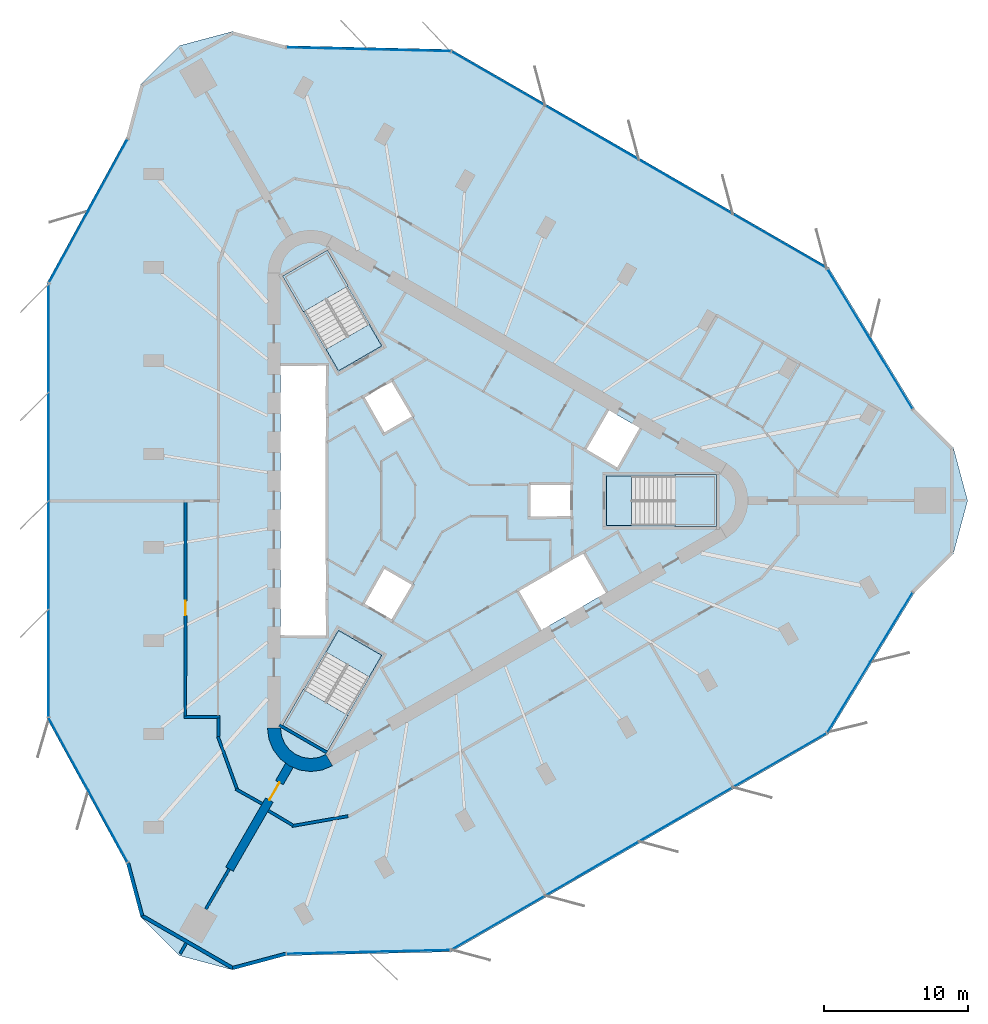
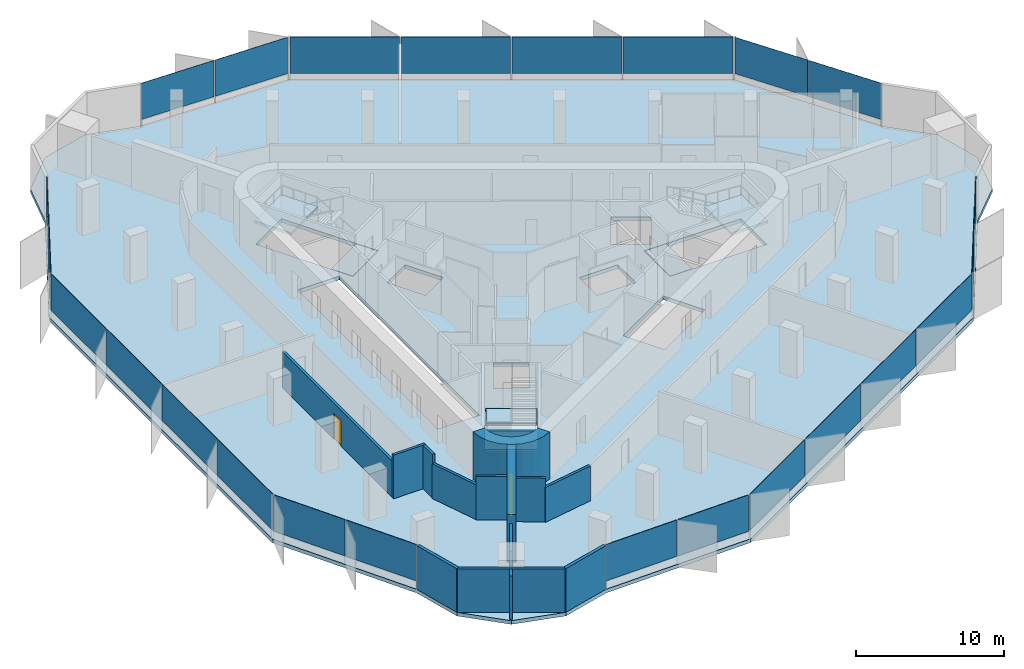
# One storey, part 6 of 12: 24 plates, 15 walls, 7 slabs, 2 doors, 2 openings, 12 elements without a shape of their own.
"""IFC4 building model written with IfcOpenShell, lengths in metres."""

from ifc_helpers import new_model, si_unit, direction, frame, frame_2d, origin, origin_2d, place, context, subcontext, project, spatial, polyline, rectangle, outline, extrude, material, layer, layer_set, type_object, element, fill, aggregate, save


model = new_model("IFC4")

# Units and contexts
model_context = context("Model", 3, precision=1e-05, world=origin(), true_north=direction((0.0, 1.0)))
body_context = subcontext(model_context, "Body", "Model", "MODEL_VIEW")
ifc_project = project(units=[si_unit("LENGTHUNIT", "METRE"), si_unit("AREAUNIT", "SQUARE_METRE"), si_unit("VOLUMEUNIT", "CUBIC_METRE"), si_unit("PLANEANGLEUNIT", "RADIAN"), si_unit("MASSUNIT", "GRAM", prefix="KILO")], contexts=[model_context])

# Site, building, storey
site_placement = place(None, origin())
site = spatial("IfcSite", under=ifc_project, at=site_placement, CompositionType="ELEMENT")
building_placement = place(site_placement, origin())
building = spatial("IfcBuilding", under=site, at=building_placement, Name="Tanit Gate Tower", CompositionType="ELEMENT")
storey_placement = place(building_placement, frame((0.0, 0.0, 337.699951171875)))
storey = spatial("IfcBuildingStorey", under=building, at=storey_placement, Name="L76", CompositionType="ELEMENT", Elevation=337.699951171875)

# Slab
ifc_material_1 = material(Name="Concrete C35/45", Category="concrete")
ifc_layer_1 = layer(ifc_material_1, 0.300048828125)
ifc_layer_set_1 = layer_set([ifc_layer_1], Name="FLOOR SLAB 300 C35/45")
slab_type_1 = type_object("IfcSlabType", Name="FLOOR SLAB 300 C35/45", PredefinedType="FLOOR", material=ifc_layer_set_1)
slab_1_placement = place(storey_placement, frame((0.0, 0.0, -0.300048828125)))
element("IfcSlab", 1, at=slab_1_placement, inside=storey, type_object=slab_type_1, Name="FLOOR SLAB L76", PredefinedType="FLOOR", context=body_context, shape_type="SweptSolid", body=[
    extrude(outline(polyline([(32.703125, 6.381103515625), (35.39990234375, 3.68408203125), (36.38720703125, 0.0), (35.39990234375, -3.68408203125), (32.703125, -6.381103515625), (26.747802734375, -16.17138671875), (0.6298828125, -31.248291015625), (-10.825439453125, -31.51220703125), (-14.509521484375, -32.49951171875), (-18.193603515625, -31.51220703125), (-20.890380859375, -28.815185546875), (-21.877685546875, -25.131103515625), (-27.378662109375, -15.07861328125), (-27.376708984375, 15.07861328125), (-21.877685546875, 25.131103515625), (-20.890380859375, 28.815185546875), (-18.193603515625, 31.51220703125), (-14.509521484375, 32.49951171875), (-10.825439453125, 31.51220703125), (0.630859375, 31.25), (26.746826171875, 16.16943359375), (32.703125, 6.381103515625)]), holes=[polyline([(11.3701171875, 1.72998046875), (18.929931640625, 1.72998046875), (18.929931640625, -1.72998046875), (11.3701171875, -1.72998046875), (11.3701171875, 1.72998046875)]), polyline([(12.158935546875, 2.159912109375), (9.82080078125, 3.510009765625), (11.44580078125, 6.324462890625), (13.783935546875, 4.974609375), (12.158935546875, 2.159912109375)]), polyline([(11.44580078125, -6.324462890625), (6.76904296875, -9.0244140625), (5.14404296875, -6.2099609375), (9.82080078125, -3.510009765625), (11.44580078125, -6.324462890625)]), polyline([(6.0, 1.199951171875), (9.0, 1.199951171875), (9.0, -1.199951171875), (6.0, -1.199951171875), (6.0, 1.199951171875)]), polyline([(-4.039306640625, 4.59619140625), (-5.539306640625, 7.194091796875), (-3.460693359375, 8.394287109375), (-1.960693359375, 5.796142578125), (-4.039306640625, 4.59619140625)]), polyline([(-1.960693359375, -5.796142578125), (-3.460693359375, -8.394287109375), (-5.539306640625, -7.194091796875), (-4.039306640625, -4.59619140625), (-1.960693359375, -5.796142578125)]), polyline([(-7.18310546875, 8.981689453125), (-10.963134765625, 15.52880859375), (-7.966796875, 17.2587890625), (-4.186767578125, 10.711669921875), (-7.18310546875, 8.981689453125)]), polyline([(-4.186767578125, -10.711669921875), (-7.966796875, -17.2587890625), (-10.963134765625, -15.52880859375), (-7.18310546875, -8.981689453125), (-4.186767578125, -10.711669921875)]), polyline([(-11.199951171875, -9.449951171875), (-11.199951171875, 9.449951171875), (-7.949951171875, 9.449951171875), (-7.949951171875, -9.449951171875), (-11.199951171875, -9.449951171875)])]), origin(), (0.0, 0.0, 1.0), 0.300048828125),
])

# Curtain wall, plates
ifc_material_2 = material(Name="Aluminium bronze anodised and glass", Category="aluminium")
curtain_wall_type = type_object("IfcCurtainWallType", Name="Curtain wall typical high", PredefinedType="NOTDEFINED", material=ifc_material_2)
curtain_wall_1_placement = place(storey_placement, origin())
curtain_wall_1 = element("IfcCurtainWall", 2, at=curtain_wall_1_placement, inside=storey, type_object=curtain_wall_type, Name="Curtain wall L76 NE1", PredefinedType="NOTDEFINED")
ifc_material_3 = material(Name="Glass tinted", Category="glass")
ifc_layer_2 = layer(ifc_material_3, 0.028076171875)
ifc_layer_set_2 = layer_set([ifc_layer_2], Name="Glass panel 28 typical high")
plate_type = type_object("IfcPlateType", Name="Glass panel 28 typical high", PredefinedType="CURTAIN_PANEL", material=ifc_layer_set_2)
plate_1_placement = place(storey_placement, frame((31.110595703125, 8.76708984375, 0.60009765625), z_axis=(0.0, 0.0, 1.0), x_axis=(-0.519820409699, 0.854275565412, 0.0)))
plate_1 = element("IfcPlate", 3, at=plate_1_placement, type_object=plate_type, Name="Glass panel L76 NE1.1", PredefinedType="CURTAIN_PANEL", context=body_context, shape_type="SweptSolid", body=[
    extrude(rectangle(XDim=5.60107421875, YDim=0.028076171875, at=origin_2d()), origin(), (0.0, 0.0, 1.0), 3.0),
])
plate_2_placement = place(storey_placement, frame((28.15771484375, 13.6201171875, 0.60009765625), z_axis=(0.0, 0.0, 1.0), x_axis=(-0.519820409699, 0.854275565412, 0.0)))
plate_2 = element("IfcPlate", 4, at=plate_2_placement, type_object=plate_type, Name="Glass panel L76 NE1.2", PredefinedType="CURTAIN_PANEL", context=body_context, shape_type="SweptSolid", body=[
    extrude(rectangle(XDim=5.600830078125, YDim=0.028076171875, at=origin_2d()), origin(), (0.0, 0.0, 1.0), 3.0),
])
aggregate(curtain_wall_1, [plate_1, plate_2])

curtain_wall_2_placement = place(storey_placement, origin())
curtain_wall_2 = element("IfcCurtainWall", 5, at=curtain_wall_2_placement, inside=storey, type_object=curtain_wall_type, Name="Curtain wall L76 NE2", PredefinedType="NOTDEFINED")
plate_3_placement = place(storey_placement, frame((23.37646484375, 17.977294921875, 0.60009765625), z_axis=(0.0, 0.0, 1.0), x_axis=(-0.865990732317, 0.500060047936, 0.0)))
plate_3 = element("IfcPlate", 6, at=plate_3_placement, type_object=plate_type, Name="Glass panel L76 NE2.1", PredefinedType="CURTAIN_PANEL", context=body_context, shape_type="SweptSolid", body=[
    extrude(rectangle(XDim=7.424072265625, YDim=0.028076171875, at=origin_2d()), origin(), (0.0, 0.0, 1.0), 3.0),
])
plate_4_placement = place(storey_placement, frame((16.878173828125, 21.729736328125, 0.60009765625), z_axis=(0.0, 0.0, 1.0), x_axis=(-0.865990732317, 0.500060047936, 0.0)))
plate_4 = element("IfcPlate", 7, at=plate_4_placement, type_object=plate_type, Name="Glass panel L76 NE2.2", PredefinedType="CURTAIN_PANEL", context=body_context, shape_type="SweptSolid", body=[
    extrude(rectangle(XDim=7.424072265625, YDim=0.028076171875, at=origin_2d()), origin(), (0.0, 0.0, 1.0), 3.0),
])
plate_5_placement = place(storey_placement, frame((10.379638671875, 25.482177734375, 0.60009765625), z_axis=(0.0, 0.0, 1.0), x_axis=(-0.865990732317, 0.500060047936, 0.0)))
plate_5 = element("IfcPlate", 8, at=plate_5_placement, type_object=plate_type, Name="Glass panel L76 NE2.3", PredefinedType="CURTAIN_PANEL", context=body_context, shape_type="SweptSolid", body=[
    extrude(rectangle(XDim=7.424072265625, YDim=0.028076171875, at=origin_2d()), origin(), (0.0, 0.0, 1.0), 3.0),
])
plate_6_placement = place(storey_placement, frame((3.88134765625, 29.234619140625, 0.60009765625), z_axis=(0.0, 0.0, 1.0), x_axis=(-0.865990732317, 0.500060047936, 0.0)))
plate_6 = element("IfcPlate", 9, at=plate_6_placement, type_object=plate_type, Name="Glass panel L76 NE2.4", PredefinedType="CURTAIN_PANEL", context=body_context, shape_type="SweptSolid", body=[
    extrude(rectangle(XDim=7.424072265625, YDim=0.028076171875, at=origin_2d()), origin(), (0.0, 0.0, 1.0), 3.0),
])
aggregate(curtain_wall_2, [plate_3, plate_4, plate_5, plate_6])

curtain_wall_3_placement = place(storey_placement, origin())
curtain_wall_3 = element("IfcCurtainWall", 10, at=curtain_wall_3_placement, inside=storey, type_object=curtain_wall_type, Name="Curtain wall L76 NE3", PredefinedType="NOTDEFINED")
plate_7_placement = place(storey_placement, frame((-2.282470703125, 31.19677734375, 0.60009765625), z_axis=(0.0, 0.0, 1.0), x_axis=(-0.999738222032, 0.022879847229, 0.0)))
plate_7 = element("IfcPlate", 11, at=plate_7_placement, type_object=plate_type, Name="Glass panel L76 NE3.1", PredefinedType="CURTAIN_PANEL", context=body_context, shape_type="SweptSolid", body=[
    extrude(rectangle(XDim=5.6015625, YDim=0.028076171875, at=origin_2d()), origin(), (0.0, 0.0, 1.0), 3.0),
])
plate_8_placement = place(storey_placement, frame((-7.962646484375, 31.32666015625, 0.60009765625), z_axis=(0.0, 0.0, 1.0), x_axis=(-0.999738222032, 0.022879847229, 0.0)))
plate_8 = element("IfcPlate", 12, at=plate_8_placement, type_object=plate_type, Name="Glass panel L76 NE3.2", PredefinedType="CURTAIN_PANEL", context=body_context, shape_type="SweptSolid", body=[
    extrude(rectangle(XDim=5.601318359375, YDim=0.028076171875, at=origin_2d()), origin(), (0.0, 0.0, 1.0), 3.0),
])
aggregate(curtain_wall_3, [plate_7, plate_8])

curtain_wall_4_placement = place(storey_placement, origin())
curtain_wall_4 = element("IfcCurtainWall", 13, at=curtain_wall_4_placement, inside=storey, type_object=curtain_wall_type, Name="Curtain wall L76 W1", PredefinedType="NOTDEFINED")
plate_9_placement = place(storey_placement, frame((-23.14794921875, 22.55908203125, 0.60009765625), z_axis=(0.0, 0.0, 1.0), x_axis=(-0.47991413663, -0.877315462911, 0.0)))
plate_9 = element("IfcPlate", 14, at=plate_9_placement, type_object=plate_type, Name="Glass panel L76 W1.1", PredefinedType="CURTAIN_PANEL", context=body_context, shape_type="SweptSolid", body=[
    extrude(rectangle(XDim=5.60107421875, YDim=0.028076171875, at=origin_2d()), origin(), (0.0, 0.0, 1.0), 3.0),
])
plate_10_placement = place(storey_placement, frame((-25.874267578125, 17.5751953125, 0.60009765625), z_axis=(0.0, 0.0, 1.0), x_axis=(-0.47991413663, -0.877315462911, 0.0)))
plate_10 = element("IfcPlate", 15, at=plate_10_placement, type_object=plate_type, Name="Glass panel L76 W1.2", PredefinedType="CURTAIN_PANEL", context=body_context, shape_type="SweptSolid", body=[
    extrude(rectangle(XDim=5.600830078125, YDim=0.028076171875, at=origin_2d()), origin(), (0.0, 0.0, 1.0), 3.0),
])
aggregate(curtain_wall_4, [plate_9, plate_10])

curtain_wall_5_placement = place(storey_placement, origin())
curtain_wall_5 = element("IfcCurtainWall", 16, at=curtain_wall_5_placement, inside=storey, type_object=curtain_wall_type, Name="Curtain wall L76 W2", PredefinedType="NOTDEFINED")
plate_11_placement = place(storey_placement, frame((-27.2568359375, 11.256103515625, 0.60009765625), z_axis=(0.0, 0.0, 1.0), x_axis=(-6.9338772e-05, -0.999999997596, 0.0)))
plate_11 = element("IfcPlate", 17, at=plate_11_placement, type_object=plate_type, Name="Glass panel L76 W2.1", PredefinedType="CURTAIN_PANEL", context=body_context, shape_type="SweptSolid", body=[
    extrude(rectangle(XDim=7.424072265625, YDim=0.028076171875, at=origin_2d()), origin(), (0.0, 0.0, 1.0), 3.0),
])
plate_12_placement = place(storey_placement, frame((-27.25732421875, 3.751953125, 0.60009765625), z_axis=(0.0, 0.0, 1.0), x_axis=(-6.9338772e-05, -0.999999997596, 0.0)))
plate_12 = element("IfcPlate", 18, at=plate_12_placement, type_object=plate_type, Name="Glass panel L76 W2.2", PredefinedType="CURTAIN_PANEL", context=body_context, shape_type="SweptSolid", body=[
    extrude(rectangle(XDim=7.424072265625, YDim=0.028076171875, at=origin_2d()), origin(), (0.0, 0.0, 1.0), 3.0),
])
plate_13_placement = place(storey_placement, frame((-27.258056640625, -3.751953125, 0.60009765625), z_axis=(0.0, 0.0, 1.0), x_axis=(-6.9338772e-05, -0.999999997596, 0.0)))
plate_13 = element("IfcPlate", 19, at=plate_13_placement, type_object=plate_type, Name="Glass panel L76 W2.3", PredefinedType="CURTAIN_PANEL", context=body_context, shape_type="SweptSolid", body=[
    extrude(rectangle(XDim=7.424072265625, YDim=0.028076171875, at=origin_2d()), origin(), (0.0, 0.0, 1.0), 3.0),
])
plate_14_placement = place(storey_placement, frame((-27.258544921875, -11.256103515625, 0.60009765625), z_axis=(0.0, 0.0, 1.0), x_axis=(-6.9338772e-05, -0.999999997596, 0.0)))
plate_14 = element("IfcPlate", 20, at=plate_14_placement, type_object=plate_type, Name="Glass panel L76 W2.4", PredefinedType="CURTAIN_PANEL", context=body_context, shape_type="SweptSolid", body=[
    extrude(rectangle(XDim=7.424072265625, YDim=0.028076171875, at=origin_2d()), origin(), (0.0, 0.0, 1.0), 3.0),
])
aggregate(curtain_wall_5, [plate_11, plate_12, plate_13, plate_14])

curtain_wall_6_placement = place(storey_placement, origin())
curtain_wall_6 = element("IfcCurtainWall", 21, at=curtain_wall_6_placement, inside=storey, type_object=curtain_wall_type, Name="Curtain wall L76 W3", PredefinedType="NOTDEFINED")
plate_15_placement = place(storey_placement, frame((-25.875732421875, -17.5751953125, 0.60009765625), z_axis=(0.0, 0.0, 1.0), x_axis=(0.48005458208, -0.877238621028, 0.0)))
plate_15 = element("IfcPlate", 22, at=plate_15_placement, type_object=plate_type, Name="Glass panel L76 W3.1", PredefinedType="CURTAIN_PANEL", context=body_context, shape_type="SweptSolid", body=[
    extrude(rectangle(XDim=5.6015625, YDim=0.028076171875, at=origin_2d()), origin(), (0.0, 0.0, 1.0), 3.0),
])
plate_16_placement = place(storey_placement, frame((-23.1484375, -22.55908203125, 0.60009765625), z_axis=(0.0, 0.0, 1.0), x_axis=(0.48005458208, -0.877238621028, 0.0)))
plate_16 = element("IfcPlate", 23, at=plate_16_placement, type_object=plate_type, Name="Glass panel L76 W3.2", PredefinedType="CURTAIN_PANEL", context=body_context, shape_type="SweptSolid", body=[
    extrude(rectangle(XDim=5.601318359375, YDim=0.028076171875, at=origin_2d()), origin(), (0.0, 0.0, 1.0), 3.0),
])
aggregate(curtain_wall_6, [plate_15, plate_16])

curtain_wall_7_placement = place(storey_placement, origin())
curtain_wall_7 = element("IfcCurtainWall", 24, at=curtain_wall_7_placement, inside=storey, type_object=curtain_wall_type, Name="Curtain wall L76 SE1", PredefinedType="NOTDEFINED")
plate_17_placement = place(storey_placement, frame((-7.962890625, -31.326171875, 0.60009765625), z_axis=(0.0, 0.0, 1.0), x_axis=(0.999734546329, 0.023039897499, 0.0)))
plate_17 = element("IfcPlate", 25, at=plate_17_placement, type_object=plate_type, Name="Glass panel L76 SE1.1", PredefinedType="CURTAIN_PANEL", context=body_context, shape_type="SweptSolid", body=[
    extrude(rectangle(XDim=5.60107421875, YDim=0.028076171875, at=origin_2d()), origin(), (0.0, 0.0, 1.0), 3.0),
])
plate_18_placement = place(storey_placement, frame((-2.283447265625, -31.1953125, 0.60009765625), z_axis=(0.0, 0.0, 1.0), x_axis=(0.999734546329, 0.023039897499, 0.0)))
plate_18 = element("IfcPlate", 26, at=plate_18_placement, type_object=plate_type, Name="Glass panel L76 SE1.2", PredefinedType="CURTAIN_PANEL", context=body_context, shape_type="SweptSolid", body=[
    extrude(rectangle(XDim=5.600830078125, YDim=0.028076171875, at=origin_2d()), origin(), (0.0, 0.0, 1.0), 3.0),
])
aggregate(curtain_wall_7, [plate_17, plate_18])

curtain_wall_8_placement = place(storey_placement, origin())
curtain_wall_8 = element("IfcCurtainWall", 27, at=curtain_wall_8_placement, inside=storey, type_object=curtain_wall_type, Name="Curtain wall L76 SE2", PredefinedType="NOTDEFINED")
plate_19_placement = place(storey_placement, frame((3.88037109375, -29.233154296875, 0.60009765625), z_axis=(0.0, 0.0, 1.0), x_axis=(0.866060071089, 0.49993994966, 0.0)))
plate_19 = element("IfcPlate", 28, at=plate_19_placement, type_object=plate_type, Name="Glass panel L76 SE2.1", PredefinedType="CURTAIN_PANEL", context=body_context, shape_type="SweptSolid", body=[
    extrude(rectangle(XDim=7.424072265625, YDim=0.028076171875, at=origin_2d()), origin(), (0.0, 0.0, 1.0), 3.0),
])
plate_20_placement = place(storey_placement, frame((10.37939453125, -25.481689453125, 0.60009765625), z_axis=(0.0, 0.0, 1.0), x_axis=(0.866060071089, 0.49993994966, 0.0)))
plate_20 = element("IfcPlate", 29, at=plate_20_placement, type_object=plate_type, Name="Glass panel L76 SE2.2", PredefinedType="CURTAIN_PANEL", context=body_context, shape_type="SweptSolid", body=[
    extrude(rectangle(XDim=7.424072265625, YDim=0.028076171875, at=origin_2d()), origin(), (0.0, 0.0, 1.0), 3.0),
])
plate_21_placement = place(storey_placement, frame((16.87841796875, -21.72998046875, 0.60009765625), z_axis=(0.0, 0.0, 1.0), x_axis=(0.866060071089, 0.49993994966, 0.0)))
plate_21 = element("IfcPlate", 30, at=plate_21_placement, type_object=plate_type, Name="Glass panel L76 SE2.3", PredefinedType="CURTAIN_PANEL", context=body_context, shape_type="SweptSolid", body=[
    extrude(rectangle(XDim=7.424072265625, YDim=0.028076171875, at=origin_2d()), origin(), (0.0, 0.0, 1.0), 3.0),
])
plate_22_placement = place(storey_placement, frame((23.377197265625, -17.978515625, 0.60009765625), z_axis=(0.0, 0.0, 1.0), x_axis=(0.866060071089, 0.49993994966, 0.0)))
plate_22 = element("IfcPlate", 31, at=plate_22_placement, type_object=plate_type, Name="Glass panel L76 SE2.4", PredefinedType="CURTAIN_PANEL", context=body_context, shape_type="SweptSolid", body=[
    extrude(rectangle(XDim=7.424072265625, YDim=0.028076171875, at=origin_2d()), origin(), (0.0, 0.0, 1.0), 3.0),
])
aggregate(curtain_wall_8, [plate_19, plate_20, plate_21, plate_22])

curtain_wall_9_placement = place(storey_placement, origin())
curtain_wall_9 = element("IfcCurtainWall", 32, at=curtain_wall_9_placement, inside=storey, type_object=curtain_wall_type, Name="Curtain wall L76 SE3", PredefinedType="NOTDEFINED")
plate_23_placement = place(storey_placement, frame((28.158447265625, -13.62158203125, 0.60009765625), z_axis=(0.0, 0.0, 1.0), x_axis=(0.519683639951, 0.854358773799, 0.0)))
plate_23 = element("IfcPlate", 33, at=plate_23_placement, type_object=plate_type, Name="Glass panel L76 SE3.1", PredefinedType="CURTAIN_PANEL", context=body_context, shape_type="SweptSolid", body=[
    extrude(rectangle(XDim=5.6015625, YDim=0.028076171875, at=origin_2d()), origin(), (0.0, 0.0, 1.0), 3.0),
])
plate_24_placement = place(storey_placement, frame((31.111083984375, -8.767578125, 0.60009765625), z_axis=(0.0, 0.0, 1.0), x_axis=(0.519683639951, 0.854358773799, 0.0)))
plate_24 = element("IfcPlate", 34, at=plate_24_placement, type_object=plate_type, Name="Glass panel L76 SE3.2", PredefinedType="CURTAIN_PANEL", context=body_context, shape_type="SweptSolid", body=[
    extrude(rectangle(XDim=5.601318359375, YDim=0.028076171875, at=origin_2d()), origin(), (0.0, 0.0, 1.0), 3.0),
])
aggregate(curtain_wall_9, [plate_23, plate_24])

# Stair, slab
ifc_material_4 = material(Name="Concrete C40/50", Category="concrete")
stair_type = type_object("IfcStairType", Name="INT-STAIR-EXIT", PredefinedType="HALF_TURN_STAIR", material=ifc_material_4)
stair_1_placement = place(storey_placement, origin())
stair_1 = element("IfcStair", 35, at=stair_1_placement, inside=storey, type_object=stair_type, Name="L76 STAIR S1", PredefinedType="HALF_TURN_STAIR")
ifc_material_5 = material(Name="Concrete C40/50", Category="concrete")
ifc_layer_3 = layer(ifc_material_5, 0.199951171875)
ifc_layer_set_3 = layer_set([ifc_layer_3], Name="INT-STAIR-LANDING")
slab_type_2 = type_object("IfcSlabType", Name="INT-STAIR-LANDING", PredefinedType="LANDING", material=ifc_layer_set_3)
slab_2_placement = place(storey_placement, frame((0.0, 0.0, 1.75)))
slab_2 = element("IfcSlab", 36, at=slab_2_placement, type_object=slab_type_2, Name="S1 landing 1", PredefinedType="LANDING", context=body_context, shape_type="SweptSolid", body=[
    extrude(outline(polyline([(16.135986328125, -1.800048828125), (19.0, -1.800048828125), (19.0, 1.800048828125), (16.135986328125, 1.800048828125), (16.135986328125, -1.800048828125)])), origin(), (0.0, 0.0, 1.0), 0.199951171875),
])
aggregate(stair_1, [slab_2])

# Slab
slab_3_placement = place(storey_placement, frame((0.0, 0.0, -0.199951171875)))
element("IfcSlab", 37, at=slab_3_placement, inside=storey, type_object=slab_type_2, Name="S1 floor landing", PredefinedType="LANDING", context=body_context, shape_type="SweptSolid", body=[
    extrude(outline(polyline([(11.3798828125, -1.719970703125), (13.10498046875, -1.719970703125), (13.10498046875, 1.719970703125), (11.3798828125, 1.719970703125), (11.3798828125, -1.719970703125)])), origin(), (0.0, 0.0, 1.0), 0.199951171875),
])

# Stair, slab
stair_2_placement = place(storey_placement, origin())
stair_2 = element("IfcStair", 38, at=stair_2_placement, inside=storey, type_object=stair_type, Name="L76 STAIR S2", PredefinedType="HALF_TURN_STAIR")
slab_4_placement = place(storey_placement, frame((0.0, 0.0, 1.75)))
slab_4 = element("IfcSlab", 39, at=slab_4_placement, type_object=slab_type_2, Name="S2 landing 1", PredefinedType="LANDING", context=body_context, shape_type="SweptSolid", body=[
    extrude(outline(polyline([(-6.5078125, 14.871826171875), (-7.941162109375, 17.3544921875), (-11.058837890625, 15.554443359375), (-9.62548828125, 13.07177734375), (-6.5078125, 14.871826171875)])), origin(), (0.0, 0.0, 1.0), 0.199951171875),
])
aggregate(stair_2, [slab_4])

# Slab
slab_5_placement = place(storey_placement, frame((0.0, 0.0, -0.199951171875)))
element("IfcSlab", 40, at=slab_5_placement, inside=storey, type_object=slab_type_2, Name="S2 floor landing", PredefinedType="LANDING", context=body_context, shape_type="SweptSolid", body=[
    extrude(outline(polyline([(-4.200439453125, 10.71533203125), (-5.0625, 12.20849609375), (-8.04150390625, 10.48828125), (-7.179443359375, 8.995361328125), (-4.200439453125, 10.71533203125)])), origin(), (0.0, 0.0, 1.0), 0.199951171875),
])

# Stair, slab
stair_3_placement = place(storey_placement, origin())
stair_3 = element("IfcStair", 41, at=stair_3_placement, inside=storey, type_object=stair_type, Name="L76 STAIR S3", PredefinedType="HALF_TURN_STAIR")
slab_6_placement = place(storey_placement, frame((0.0, 0.0, 1.75)))
slab_6 = element("IfcSlab", 42, at=slab_6_placement, type_object=slab_type_2, Name="S3 landing 1", PredefinedType="LANDING", context=body_context, shape_type="SweptSolid", body=[
    extrude(outline(polyline([(-9.626953125, -13.07421875), (-11.058837890625, -15.554443359375), (-7.941162109375, -17.3544921875), (-6.509033203125, -14.874267578125), (-9.626953125, -13.07421875)])), origin(), (0.0, 0.0, 1.0), 0.199951171875),
])
aggregate(stair_3, [slab_6])

# Slab
slab_7_placement = place(storey_placement, frame((0.0, 0.0, -0.199951171875)))
element("IfcSlab", 43, at=slab_7_placement, inside=storey, type_object=slab_type_2, Name="S3 floor landing", PredefinedType="LANDING", context=body_context, shape_type="SweptSolid", body=[
    extrude(outline(polyline([(-7.179443359375, -8.995361328125), (-8.0419921875, -10.4892578125), (-5.06298828125, -12.209228515625), (-4.200439453125, -10.71533203125), (-7.179443359375, -8.995361328125)])), origin(), (0.0, 0.0, 1.0), 0.199951171875),
])

# Wall, opening, door
ifc_material_6 = material(Name="Concrete C40/50", Category="concrete")
ifc_layer_4 = layer(ifc_material_6, 0.60009765625)
ifc_layer_set_4 = layer_set([ifc_layer_4], Name="BUTTRESS FIN 600 C40/50")
wall_type_1 = type_object("IfcWallType", Name="BUTTRESS FIN 600 C40/50", PredefinedType="SHEAR", material=ifc_layer_set_4)
wall_1_placement = place(storey_placement, frame((-10.574951171875, -18.31640625, 0.0), z_axis=(0.0, 0.0, 1.0), x_axis=(-0.499998447599, -0.866026300061, 0.0)))
wall_1 = element("IfcWall", 44, at=wall_1_placement, inside=storey, type_object=wall_type_1, Name="BUTTRESS FIN", PredefinedType="SHEAR", context=body_context, shape_type="SweptSolid", body=[
    extrude(rectangle(XDim=8.32080078125, YDim=0.60009765625, at=frame_2d((4.160400390625, 0.0))), origin(), (0.0, 0.0, 1.0), 3.900146484375),
])
opening_1_placement = place(wall_1_placement, frame((1.39990234375, 0.0, 0.0)))
opening_1 = element("IfcOpeningElement", 45, at=opening_1_placement, cuts=wall_1, Name="Opening P14-S21-F-SW-1", PredefinedType="OPENING", context=body_context, shape_type="SweptSolid", body=[
    extrude(rectangle(XDim=1.39990234375, YDim=2.39990234375, at=frame_2d((0.699951171875, 1.199951171875))), frame((0.0, 0.31005859375, 0.0), z_axis=(0.0, -1.0, 0.0), x_axis=(1.0, 0.0, 0.0)), (0.0, 0.0, 1.0), 0.6201171875),
])
ifc_material_7 = material(Name="Timber door leaf", Category="wood")
door_type_1 = type_object("IfcDoorType", Name="INT-DOOR-FIN-PAIR-1400", OperationType="NOTDEFINED", PredefinedType="NOTDEFINED", material=ifc_material_7)
door_1_placement = place(opening_1_placement, origin())
door_1 = element("IfcDoor", 46, at=door_1_placement, inside=storey, type_object=door_type_1, Name="Door P14-S21-F-SW-1", OperationType="DOUBLE_DOOR_SINGLE_SWING", OverallHeight=2.39990234375, OverallWidth=1.39990234375, PredefinedType="NOTDEFINED", context=body_context, shape_type="SweptSolid", body=[
    extrude(rectangle(XDim=1.39990234375, YDim=2.39990234375, at=frame_2d((0.699951171875, 1.199951171875))), frame((0.0, 0.02490234375, 0.0), z_axis=(0.0, -1.0, 0.0), x_axis=(1.0, 0.0, 0.0)), (0.0, 0.0, 1.0), 0.050048828125),
])
fill(opening_1, door_1)

# Walls
ifc_material_8 = material(Name="Concrete C40/50", Category="concrete")
ifc_layer_5 = layer(ifc_material_8, 0.89990234375)
ifc_layer_set_5 = layer_set([ifc_layer_5], Name="CORE WALL 900 C40/50")
wall_type_2 = type_object("IfcWallType", Name="CORE WALL 900 C40/50", PredefinedType="SHEAR", material=ifc_layer_set_5)
wall_2_placement = place(storey_placement, origin())
element("IfcWall", 47, at=wall_2_placement, inside=storey, type_object=wall_type_2, Name="CORE WALL CORNER", PredefinedType="SHEAR", context=body_context, shape_type="SweptSolid", body=[
    extrude(outline(polyline([(-12.10009765625, -15.76171875), (-11.997802734375, -16.5380859375), (-11.697998046875, -17.26171875), (-11.22119140625, -17.883056640625), (-10.60009765625, -18.359619140625), (-9.87646484375, -18.659423828125), (-9.10009765625, -18.76171875), (-8.323486328125, -18.659423828125), (-7.60009765625, -18.359619140625), (-8.050048828125, -17.580322265625), (-8.556396484375, -17.7900390625), (-9.10009765625, -17.86181640625), (-9.6435546875, -17.7900390625), (-10.14990234375, -17.580322265625), (-10.5849609375, -17.24658203125), (-10.918701171875, -16.811767578125), (-11.12841796875, -16.30517578125), (-11.199951171875, -15.76171875), (-12.10009765625, -15.76171875)])), origin(), (0.0, 0.0, 1.0), 3.900146484375),
])
ifc_material_9 = material(Name="Concrete C30/37 with bronze anodised aluminium cladding", Category="concrete")
ifc_layer_6 = layer(ifc_material_9, 0.239990234375)
ifc_layer_set_6 = layer_set([ifc_layer_6], Name="Facade wall bronze clad 240")
wall_type_3 = type_object("IfcWallType", Name="Facade wall bronze clad 240", PredefinedType="SOLIDWALL", material=ifc_layer_set_6)
wall_3_placement = place(storey_placement, frame((-21.765625, -25.086181640625, 0.0), z_axis=(0.0, 0.0, 1.0), x_axis=(0.258843233206, -0.965919344782, 0.0)))
element("IfcWall", 48, at=wall_3_placement, inside=storey, type_object=wall_type_3, Name="Bronze-clad facade wall L76 SW.arc1", PredefinedType="SOLIDWALL", context=body_context, shape_type="SweptSolid", body=[
    extrude(rectangle(XDim=3.79638671875, YDim=0.239990234375, at=frame_2d((1.898193359375, 0.0))), origin(), (0.0, 0.0, 1.0), 3.60009765625),
])
wall_4_placement = place(storey_placement, frame((-20.782958984375, -28.753173828125, 0.0), z_axis=(0.0, 0.0, 1.0), x_axis=(0.866019457076, -0.500010299859, 0.0)))
element("IfcWall", 49, at=wall_4_placement, inside=storey, type_object=wall_type_3, Name="Bronze-clad facade wall L76 SW.arc2", PredefinedType="SOLIDWALL", context=body_context, shape_type="SweptSolid", body=[
    extrude(rectangle(XDim=7.243896484375, YDim=0.239990234375, at=frame_2d((3.6220703125, 0.0))), origin(), (0.0, 0.0, 1.0), 3.60009765625),
])
wall_5_placement = place(storey_placement, frame((-14.509521484375, -32.375244140625, 0.0), z_axis=(0.0, 0.0, 1.0), x_axis=(0.965919344782, 0.258843233206, 0.0)))
element("IfcWall", 50, at=wall_5_placement, inside=storey, type_object=wall_type_3, Name="Bronze-clad facade wall L76 SW.arc3", PredefinedType="SOLIDWALL", context=body_context, shape_type="SweptSolid", body=[
    extrude(rectangle(XDim=3.79638671875, YDim=0.239990234375, at=frame_2d((1.898193359375, 0.0))), origin(), (0.0, 0.0, 1.0), 3.60009765625),
])
ifc_material_10 = material(Name="Fire-rated gypsum board partition")
ifc_layer_7 = layer(ifc_material_10, 0.199951171875)
ifc_layer_set_7 = layer_set([ifc_layer_7], Name="INT-WALL-COMPARTMENT")
wall_type_4 = type_object("IfcWallType", Name="INT-WALL-COMPARTMENT", PredefinedType="PARTITIONING", material=ifc_layer_set_7)
wall_6_placement = place(storey_placement, frame((-17.89990234375, -15.001220703125, 0.0), z_axis=(0.0, 0.0, 1.0), x_axis=(0.999915662945, 0.012987185857, 0.0)))
element("IfcWall", 51, at=wall_6_placement, inside=storey, type_object=wall_type_4, Name="Wall Compartment W085", PredefinedType="PARTITIONING", context=body_context, shape_type="SweptSolid", body=[
    extrude(rectangle(XDim=2.500244140625, YDim=0.199951171875, at=frame_2d((1.25, 0.0))), origin(), (0.0, 0.0, 1.0), 3.60009765625),
])

# Wall, opening, door
wall_7_placement = place(storey_placement, frame((-17.77001953125, 0.0, 0.0), z_axis=(0.0, 0.0, 1.0), x_axis=(-0.001999012883, -0.999998001972, 0.0)))
wall_7 = element("IfcWall", 52, at=wall_7_placement, inside=storey, type_object=wall_type_4, Name="Wall Compartment W086", PredefinedType="PARTITIONING", context=body_context, shape_type="SweptSolid", body=[
    extrude(rectangle(XDim=14.89990234375, YDim=0.199951171875, at=frame_2d((7.449951171875, 0.0))), origin(), (0.0, 0.0, 1.0), 2.969970703125),
])
opening_2_placement = place(wall_7_placement, frame((6.949951171875, 0.0, 0.0)))
opening_2 = element("IfcOpeningElement", 53, at=opening_2_placement, cuts=wall_7, Name="Opening F10-S21-26", PredefinedType="OPENING", context=body_context, shape_type="SweptSolid", body=[
    extrude(rectangle(XDim=1.0, YDim=2.10009765625, at=frame_2d((0.5, 1.050048828125))), frame((0.0, 0.10986328125, 0.0), z_axis=(0.0, -1.0, 0.0), x_axis=(1.0, 0.0, 0.0)), (0.0, 0.0, 1.0), 0.219970703125),
])
ifc_material_11 = material(Name="Fire-rated steel door leaf", Category="steel")
door_type_2 = type_object("IfcDoorType", Name="INT-DOOR-FIRE-1000", OperationType="NOTDEFINED", PredefinedType="USERDEFINED", material=ifc_material_11)
door_2_placement = place(opening_2_placement, origin())
door_2 = element("IfcDoor", 54, at=door_2_placement, inside=storey, type_object=door_type_2, Name="Door F10-S21-26", ObjectType="FIRE DOOR", OperationType="SINGLE_SWING_LEFT", OverallHeight=2.10009765625, OverallWidth=1.0, PredefinedType="USERDEFINED", context=body_context, shape_type="SweptSolid", body=[
    extrude(rectangle(XDim=1.0, YDim=2.10009765625, at=frame_2d((0.5, 1.050048828125))), frame((0.0, 0.02490234375, 0.0), z_axis=(0.0, -1.0, 0.0), x_axis=(1.0, 0.0, 0.0)), (0.0, 0.0, 1.0), 0.050048828125),
])
fill(opening_2, door_2)

# Walls
wall_8_placement = place(storey_placement, frame((-14.293212890625, -19.9775390625, 0.0), z_axis=(0.0, 0.0, 1.0), x_axis=(0.872510000486, -0.48859625362, 0.0)))
element("IfcWall", 55, at=wall_8_placement, inside=storey, type_object=wall_type_4, Name="Wall Compartment W088", PredefinedType="PARTITIONING", context=body_context, shape_type="SweptSolid", body=[
    extrude(rectangle(XDim=2.089599609375, YDim=0.199951171875, at=frame_2d((1.044921875, 0.0))), origin(), (0.0, 0.0, 1.0), 3.60009765625),
])
wall_9_placement = place(storey_placement, frame((-15.5341796875, -16.346435546875, 0.0), z_axis=(0.0, 0.0, 1.0), x_axis=(0.342001008711, -0.939699584996, 0.0)))
element("IfcWall", 56, at=wall_9_placement, inside=storey, type_object=wall_type_4, Name="Wall Compartment W089", PredefinedType="PARTITIONING", context=body_context, shape_type="SweptSolid", body=[
    extrude(rectangle(XDim=3.87548828125, YDim=0.199951171875, at=frame_2d((1.937744140625, 0.0))), origin(), (0.0, 0.0, 1.0), 2.880126953125),
])
wall_10_placement = place(storey_placement, frame((-15.5, -15.070068359375, 0.0), z_axis=(0.0, 0.0, 1.0), x_axis=(0.0, -1.0, 0.0)))
element("IfcWall", 57, at=wall_10_placement, inside=storey, type_object=wall_type_4, Name="Wall Compartment W090", PredefinedType="PARTITIONING", context=body_context, shape_type="SweptSolid", body=[
    extrude(rectangle(XDim=1.2705078125, YDim=0.199951171875, at=frame_2d((0.63525390625, 0.0))), origin(), (0.0, 0.0, 1.0), 3.60009765625),
])
wall_11_placement = place(storey_placement, frame((-10.405517578125, -22.53759765625, 0.0), z_axis=(0.0, 0.0, 1.0), x_axis=(0.98480284819, 0.173675991999, 0.0)))
element("IfcWall", 58, at=wall_11_placement, inside=storey, type_object=wall_type_4, Name="Wall Compartment W107", PredefinedType="PARTITIONING", context=body_context, shape_type="SweptSolid", body=[
    extrude(rectangle(XDim=3.94873046875, YDim=0.199951171875, at=frame_2d((1.974365234375, 0.0))), origin(), (0.0, 0.0, 1.0), 2.880126953125),
])
wall_12_placement = place(storey_placement, frame((-12.05029296875, -21.4716796875, 0.0), z_axis=(0.0, 0.0, 1.0), x_axis=(0.859577966481, -0.511004617924, 0.0)))
element("IfcWall", 59, at=wall_12_placement, inside=storey, type_object=wall_type_4, Name="Wall Compartment W108", PredefinedType="PARTITIONING", context=body_context, shape_type="SweptSolid", body=[
    extrude(rectangle(XDim=1.99755859375, YDim=0.199951171875, at=frame_2d((0.998779296875, 0.0))), origin(), (0.0, 0.0, 1.0), 3.60009765625),
])
wall_13_placement = place(storey_placement, frame((-18.1533203125, -31.382568359375, 0.0), z_axis=(0.0, 0.0, 1.0), x_axis=(0.499973348067, 0.866040790738, 0.0)))
element("IfcWall", 60, at=wall_13_placement, inside=storey, type_object=wall_type_4, Name="Wall Compartment W110", PredefinedType="PARTITIONING", context=body_context, shape_type="SweptSolid", body=[
    extrude(rectangle(XDim=0.84228515625, YDim=0.199951171875, at=frame_2d((0.421142578125, 0.0))), origin(), (0.0, 0.0, 1.0), 3.60009765625),
])
wall_14_placement = place(storey_placement, frame((-16.36962890625, -28.29296875, 0.0), z_axis=(0.0, 0.0, 1.0), x_axis=(0.503233779138, 0.864150313044, 0.0)))
element("IfcWall", 61, at=wall_14_placement, inside=storey, type_object=wall_type_4, Name="Wall Compartment W111", PredefinedType="PARTITIONING", context=body_context, shape_type="SweptSolid", body=[
    extrude(rectangle(XDim=3.216552734375, YDim=0.199951171875, at=frame_2d((1.6083984375, 0.0))), origin(), (0.0, 0.0, 1.0), 3.170166015625),
])
ifc_material_12 = material(Name="Concrete C40/50", Category="concrete")
ifc_layer_8 = layer(ifc_material_12, 0.199951171875)
ifc_layer_set_8 = layer_set([ifc_layer_8], Name="INT-WALL-STAIR")
wall_type_5 = type_object("IfcWallType", Name="INT-WALL-STAIR", PredefinedType="SHEAR", material=ifc_layer_set_8)
wall_15_placement = place(storey_placement, frame((-11.281982421875, -15.541015625, -0.300048828125), z_axis=(0.0, 0.0, 1.0), x_axis=(0.866000483506, -0.500043160704, 0.0)))
element("IfcWall", 62, at=wall_15_placement, inside=storey, type_object=wall_type_5, Name="Wall Stair W037", PredefinedType="SHEAR", context=body_context, shape_type="SweptSolid", body=[
    extrude(rectangle(XDim=3.800048828125, YDim=0.199951171875, at=frame_2d((1.89990234375, 0.0))), origin(), (0.0, 0.0, 1.0), 3.900146484375),
])

save(model, "model.ifc")
